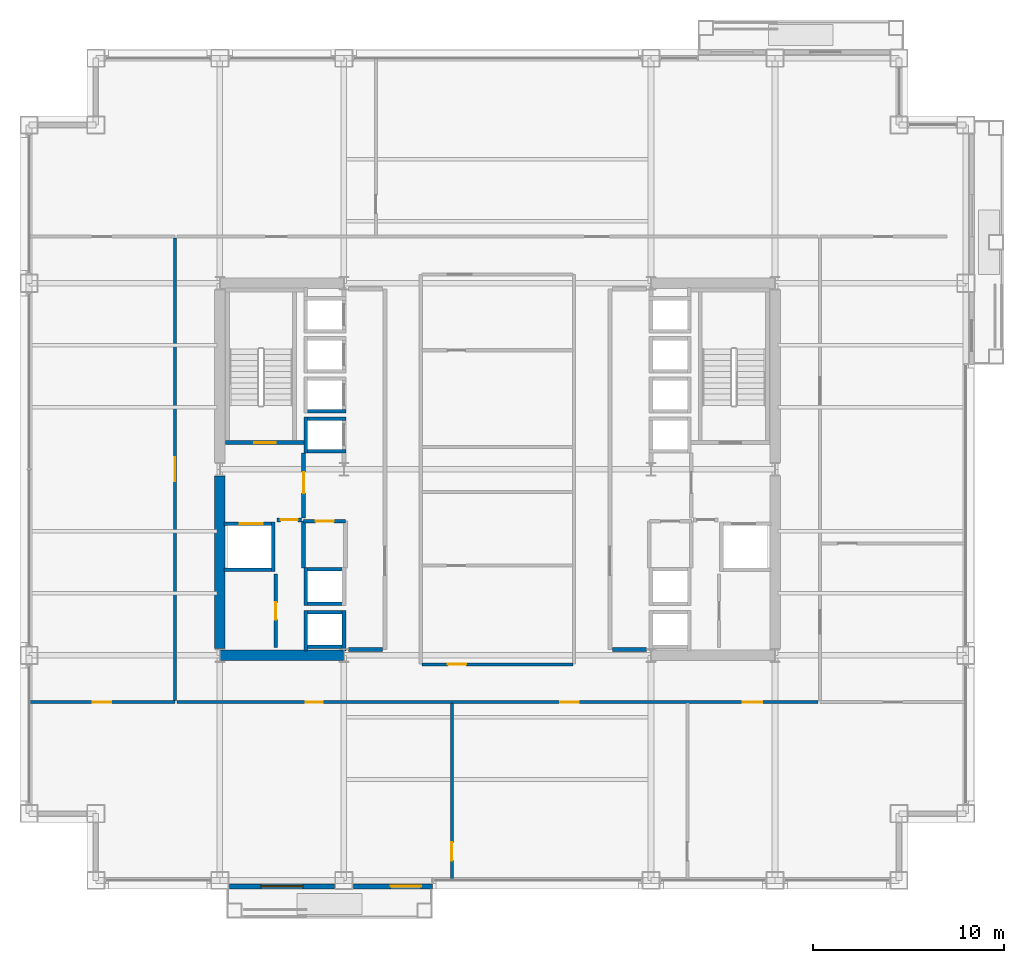
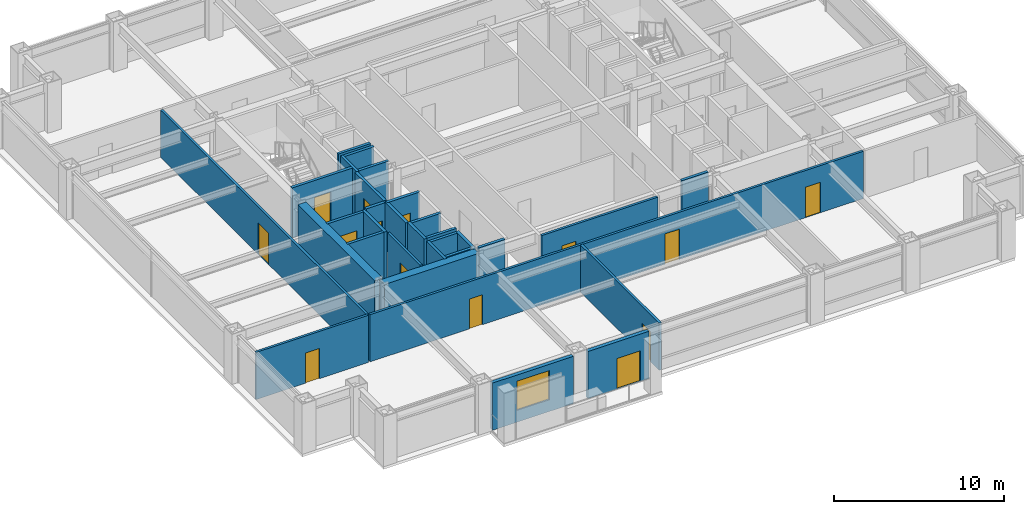
# One storey, part 25 of 31: 31 walls, 14 doors, 1 window, 15 openings.
"""IFC4 building model written with IfcOpenShell, lengths in metres."""

from ifc_helpers import new_model, si_unit, direction, frame, frame_2d, origin, place, context, subcontext, project, spatial, rectangle, extrude, material, layer, layer_set, type_object, element, fill, save


model = new_model("IFC4")

# Units and contexts
model_context = context("Model", 3, precision=1e-05, world=origin(), true_north=direction((0.0, 1.0)))
body_context = subcontext(model_context, "Body", "Model", "MODEL_VIEW")
ifc_project = project(units=[si_unit("LENGTHUNIT", "METRE"), si_unit("AREAUNIT", "SQUARE_METRE"), si_unit("VOLUMEUNIT", "CUBIC_METRE"), si_unit("PLANEANGLEUNIT", "RADIAN"), si_unit("MASSUNIT", "GRAM", prefix="KILO")], contexts=[model_context])

# Site, building, storey
site_placement = place(None, origin())
site = spatial("IfcSite", under=ifc_project, at=site_placement, CompositionType="ELEMENT")
building_placement = place(site_placement, origin())
building = spatial("IfcBuilding", under=site, at=building_placement, Name="Brelmoor Portico Tower", CompositionType="ELEMENT")
storey_placement = place(building_placement, frame((0.0, 0.0, 31.199951171875)))
storey = spatial("IfcBuildingStorey", under=building, at=storey_placement, Name="L07", CompositionType="ELEMENT", Elevation=31.199951171875)

# Walls
ifc_material_1 = material(Name="Concrete C60", Category="concrete")
ifc_layer_1 = layer(ifc_material_1, 0.550048828125)
ifc_layer_set_1 = layer_set([ifc_layer_1], Name="Concrete C60")
wall_type_1 = type_object("IfcWallType", Name="WL-CORE-550", PredefinedType="SHEAR", material=ifc_layer_set_1)
wall_1_placement = place(storey_placement, frame((-14.530029296875, -9.75, -0.199951171875), z_axis=(0.0, 0.0, 1.0), x_axis=(1.0, 0.0, 0.0)))
element("IfcWall", 1, at=wall_1_placement, inside=storey, type_object=wall_type_1, Name="L07 WC South Shear Wall", PredefinedType="SHEAR", context=body_context, shape_type="SweptSolid", body=[
    extrude(rectangle(XDim=6.4599609375, YDim=0.550048828125, at=frame_2d((3.22998046875, 0.0))), origin(), (0.0, 0.0, 1.0), 3.60009765625),
])
wall_2_placement = place(storey_placement, frame((-14.550048828125, -9.39990234375, -0.199951171875), z_axis=(0.0, 0.0, 1.0), x_axis=(0.0, 1.0, 0.0)))
element("IfcWall", 2, at=wall_2_placement, inside=storey, type_object=wall_type_1, Name="L07 WC Outer South Shear Wall", PredefinedType="SHEAR", context=body_context, shape_type="SweptSolid", body=[
    extrude(rectangle(XDim=9.0498046875, YDim=0.550048828125, at=frame_2d((4.52490234375, 0.0))), origin(), (0.0, 0.0, 1.0), 3.60009765625),
])

# Wall, opening, window
ifc_material_2 = material(Name="Precast Concrete C40 Insulated Facade Wall", Category="concrete")
ifc_layer_2 = layer(ifc_material_2, 0.25)
ifc_layer_set_2 = layer_set([ifc_layer_2], Name="Precast Concrete C40 Insulated Facade Wall")
wall_type_2 = type_object("IfcWallType", Name="WL-EXT-250", PredefinedType="STANDARD", material=ifc_layer_set_2)
wall_3_placement = place(storey_placement, frame((-14.054931640625, -21.860107421875, 0.0), z_axis=(0.0, 0.0, 1.0), x_axis=(1.0, 0.0, 0.0)))
wall_3 = element("IfcWall", 3, at=wall_3_placement, inside=storey, type_object=wall_type_2, Name="L07 Loggia Threshold Wall S-1", PredefinedType="STANDARD", context=body_context, shape_type="SweptSolid", body=[
    extrude(rectangle(XDim=5.510009765625, YDim=0.25, at=frame_2d((2.7548828125, 0.0))), origin(), (0.0, 0.0, 1.0), 3.400146484375),
])
opening_1_placement = place(wall_3_placement, frame((1.655029296875, 0.0, 0.85009765625)))
opening_1 = element("IfcOpeningElement", 4, at=opening_1_placement, cuts=wall_3, Name="Opening W-03B", PredefinedType="OPENING", context=body_context, shape_type="SweptSolid", body=[
    extrude(rectangle(XDim=2.199951171875, YDim=2.10009765625, at=frame_2d((1.10009765625, 1.050048828125))), frame((0.0, 0.135009765625, 0.0), z_axis=(0.0, -1.0, 0.0), x_axis=(1.0, 0.0, 0.0)), (0.0, 0.0, 1.0), 0.27001953125),
])
ifc_material_3 = material(Name="Thermally Broken Aluminium Low-E Window", Category="aluminium")
window_type = type_object("IfcWindowType", Name="WN-LOGGIA-2200x2100", PartitioningType="SINGLE_PANEL", PredefinedType="WINDOW", material=ifc_material_3)
window_placement = place(opening_1_placement, origin())
window = element("IfcWindow", 5, at=window_placement, inside=storey, type_object=window_type, Name="L07 Loggia Window S", OverallHeight=2.10009765625, OverallWidth=2.199951171875, PartitioningType="SINGLE_PANEL", PredefinedType="WINDOW", context=body_context, shape_type="SweptSolid", body=[
    extrude(rectangle(XDim=2.199951171875, YDim=2.10009765625, at=frame_2d((1.10009765625, 1.050048828125))), frame((0.0, 0.030029296875, 0.0), z_axis=(0.0, -1.0, 0.0), x_axis=(1.0, 0.0, 0.0)), (0.0, 0.0, 1.0), 0.06005859375),
])
fill(opening_1, window)

# Wall, opening, door
wall_4_placement = place(storey_placement, frame((-7.554931640625, -21.860107421875, 0.0), z_axis=(0.0, 0.0, 1.0), x_axis=(1.0, 0.0, 0.0)))
wall_4 = element("IfcWall", 6, at=wall_4_placement, inside=storey, type_object=wall_type_2, Name="L07 Loggia Threshold Wall S-2", PredefinedType="STANDARD", context=body_context, shape_type="SweptSolid", body=[
    extrude(rectangle(XDim=4.155029296875, YDim=0.25, at=frame_2d((2.07763671875, 0.0))), origin(), (0.0, 0.0, 1.0), 3.400146484375),
])
opening_2_placement = place(wall_4_placement, frame((1.955078125, 0.0, 0.0)))
opening_2 = element("IfcOpeningElement", 7, at=opening_2_placement, cuts=wall_4, Name="Opening D-TB1", PredefinedType="OPENING", context=body_context, shape_type="SweptSolid", body=[
    extrude(rectangle(XDim=1.60009765625, YDim=2.199951171875, at=frame_2d((0.800048828125, 1.10009765625))), frame((0.0, 0.135009765625, 0.0), z_axis=(0.0, -1.0, 0.0), x_axis=(1.0, 0.0, 0.0)), (0.0, 0.0, 1.0), 0.27001953125),
])
ifc_material_4 = material(Name="Double-Leaf Thermally Broken Terrace Door", Category="aluminium")
door_type_1 = type_object("IfcDoorType", Name="DR-BALCONY-1600", OperationType="NOTDEFINED", PredefinedType="DOOR", material=ifc_material_4)
door_1_placement = place(opening_2_placement, origin())
door_1 = element("IfcDoor", 8, at=door_1_placement, inside=storey, type_object=door_type_1, Name="D-0337 L07 Tree Balcony Double Door S", OperationType="DOUBLE_DOOR_SINGLE_SWING", OverallHeight=2.199951171875, OverallWidth=1.60009765625, PredefinedType="DOOR", context=body_context, shape_type="SweptSolid", body=[
    extrude(rectangle(XDim=1.60009765625, YDim=2.199951171875, at=frame_2d((0.800048828125, 1.10009765625))), frame((0.0, 0.02490234375, 0.0), z_axis=(0.0, -1.0, 0.0), x_axis=(1.0, 0.0, 0.0)), (0.0, 0.0, 1.0), 0.050048828125),
])
fill(opening_2, door_1)

ifc_material_5 = material(Name="Twin-Frame Acoustic Partition", Category="gypsum")
ifc_layer_3 = layer(ifc_material_5, 0.159912109375)
ifc_layer_set_3 = layer_set([ifc_layer_3], Name="Twin-Frame Acoustic Partition")
wall_type_3 = type_object("IfcWallType", Name="WL-PART-160", PredefinedType="PARTITIONING", material=ifc_layer_set_3)
wall_5_placement = place(storey_placement, frame((-11.6201171875, -9.35009765625, 0.0), z_axis=(0.0, 0.0, 1.0), x_axis=(0.0, 1.0, 0.0)))
wall_5 = element("IfcWall", 9, at=wall_5_placement, inside=storey, type_object=wall_type_3, Name="L07 W Core Service Front Wall", PredefinedType="PARTITIONING", context=body_context, shape_type="SweptSolid", body=[
    extrude(rectangle(XDim=3.85009765625, YDim=0.159912109375, at=frame_2d((1.925048828125, 0.0))), origin(), (0.0, 0.0, 1.0), 3.400146484375),
])
opening_3_placement = place(wall_5_placement, frame((1.47509765625, 0.0, 0.0)))
opening_3 = element("IfcOpeningElement", 10, at=opening_3_placement, cuts=wall_5, Name="Opening D-IN1", PredefinedType="OPENING", context=body_context, shape_type="SweptSolid", body=[
    extrude(rectangle(XDim=0.89990234375, YDim=2.14990234375, at=frame_2d((0.449951171875, 1.074951171875))), frame((0.0, 0.08984375, 0.0), z_axis=(0.0, -1.0, 0.0), x_axis=(1.0, 0.0, 0.0)), (0.0, 0.0, 1.0), 0.179931640625),
])
ifc_material_6 = material(Name="Lacquered Timber Suite Door", Category="wood")
door_type_2 = type_object("IfcDoorType", Name="DR-INT-900", OperationType="NOTDEFINED", PredefinedType="DOOR", material=ifc_material_6)
door_2_placement = place(opening_3_placement, origin())
door_2 = element("IfcDoor", 11, at=door_2_placement, inside=storey, type_object=door_type_2, Name="D-0314 L07 W Accessible WC Door", OperationType="SINGLE_SWING_LEFT", OverallHeight=2.14990234375, OverallWidth=0.89990234375, PredefinedType="DOOR", context=body_context, shape_type="SweptSolid", body=[
    extrude(rectangle(XDim=0.89990234375, YDim=2.14990234375, at=frame_2d((0.449951171875, 1.074951171875))), frame((0.0, 0.02490234375, 0.0), z_axis=(0.0, -1.0, 0.0), x_axis=(1.0, 0.0, 0.0)), (0.0, 0.0, 1.0), 0.050048828125),
])
fill(opening_3, door_2)

wall_6_placement = place(storey_placement, frame((-3.949951171875, -10.219970703125, 0.0), z_axis=(0.0, 0.0, 1.0), x_axis=(1.0, 0.0, 0.0)))
wall_6 = element("IfcWall", 12, at=wall_6_placement, inside=storey, type_object=wall_type_3, Name="L07 Central Pantry Corridor Wall", PredefinedType="PARTITIONING", context=body_context, shape_type="SweptSolid", body=[
    extrude(rectangle(XDim=7.89990234375, YDim=0.159912109375, at=frame_2d((3.949951171875, 0.0))), origin(), (0.0, 0.0, 1.0), 3.400146484375),
])
opening_4_placement = place(wall_6_placement, frame((1.35009765625, 0.0, 0.0)))
opening_4 = element("IfcOpeningElement", 13, at=opening_4_placement, cuts=wall_6, Name="Opening D-IN2", PredefinedType="OPENING", context=body_context, shape_type="SweptSolid", body=[
    extrude(rectangle(XDim=0.9599609375, YDim=2.179931640625, at=frame_2d((0.47998046875, 1.08984375))), frame((0.0, 0.08984375, 0.0), z_axis=(0.0, -1.0, 0.0), x_axis=(1.0, 0.0, 0.0)), (0.0, 0.0, 1.0), 0.179931640625),
])
door_type_3 = type_object("IfcDoorType", Name="DR-INT-950", OperationType="NOTDEFINED", PredefinedType="DOOR", material=ifc_material_6)
door_3_placement = place(opening_4_placement, origin())
door_3 = element("IfcDoor", 14, at=door_3_placement, inside=storey, type_object=door_type_3, Name="D-0309 L07 Staff Pantry Door", OperationType="SINGLE_SWING_LEFT", OverallHeight=2.179931640625, OverallWidth=0.9599609375, PredefinedType="DOOR", context=body_context, shape_type="SweptSolid", body=[
    extrude(rectangle(XDim=0.9599609375, YDim=2.179931640625, at=frame_2d((0.47998046875, 1.08984375))), frame((0.0, 0.02490234375, 0.0), z_axis=(0.0, -1.0, 0.0), x_axis=(1.0, 0.0, 0.0)), (0.0, 0.0, 1.0), 0.050048828125),
])
fill(opening_4, door_3)

wall_7_placement = place(storey_placement, frame((-2.38916015625, -21.56005859375, 0.0), z_axis=(0.0, 0.0, 1.0), x_axis=(0.0, 1.0, 0.0)))
wall_7 = element("IfcWall", 15, at=wall_7_placement, inside=storey, type_object=wall_type_3, Name="L07 South Suite Partition 1", PredefinedType="PARTITIONING", context=body_context, shape_type="SweptSolid", body=[
    extrude(rectangle(XDim=9.300048828125, YDim=0.159912109375, at=frame_2d((4.64990234375, 0.0))), origin(), (0.0, 0.0, 1.0), 3.400146484375),
])
opening_5_placement = place(wall_7_placement, frame((1.050048828125, 0.0, 0.0)))
opening_5 = element("IfcOpeningElement", 16, at=opening_5_placement, cuts=wall_7, Name="Opening D-IN2", PredefinedType="OPENING", context=body_context, shape_type="SweptSolid", body=[
    extrude(rectangle(XDim=0.9599609375, YDim=2.179931640625, at=frame_2d((0.47998046875, 1.08984375))), frame((0.0, 0.08984375, 0.0), z_axis=(0.0, -1.0, 0.0), x_axis=(1.0, 0.0, 0.0)), (0.0, 0.0, 1.0), 0.179931640625),
])
door_4_placement = place(opening_5_placement, origin())
door_4 = element("IfcDoor", 17, at=door_4_placement, inside=storey, type_object=door_type_3, Name="D-0329 L07 South Suite Connecting Door 1", OperationType="SINGLE_SWING_LEFT", OverallHeight=2.179931640625, OverallWidth=0.9599609375, PredefinedType="DOOR", context=body_context, shape_type="SweptSolid", body=[
    extrude(rectangle(XDim=0.9599609375, YDim=2.179931640625, at=frame_2d((0.47998046875, 1.08984375))), frame((0.0, 0.02490234375, 0.0), z_axis=(0.0, -1.0, 0.0), x_axis=(1.0, 0.0, 0.0)), (0.0, 0.0, 1.0), 0.050048828125),
])
fill(opening_5, door_4)

# Wall, openings, doors
wall_8_placement = place(storey_placement, frame((-16.800048828125, -12.199951171875, 0.0), z_axis=(0.0, 0.0, 1.0), x_axis=(1.0, 0.0, 0.0)))
wall_8 = element("IfcWall", 18, at=wall_8_placement, inside=storey, type_object=wall_type_3, Name="L07 South Corridor Partition", PredefinedType="PARTITIONING", context=body_context, shape_type="SweptSolid", body=[
    extrude(rectangle(XDim=33.60009765625, YDim=0.159912109375, at=frame_2d((16.800048828125, 0.0))), origin(), (0.0, 0.0, 1.0), 3.400146484375),
])
opening_6_placement = place(wall_8_placement, frame((6.75537109375, 0.0, 0.0)))
opening_6 = element("IfcOpeningElement", 19, at=opening_6_placement, cuts=wall_8, Name="Opening D-IN1", PredefinedType="OPENING", context=body_context, shape_type="SweptSolid", body=[
    extrude(rectangle(XDim=0.89990234375, YDim=2.14990234375, at=frame_2d((0.449951171875, 1.074951171875))), frame((0.0, 0.08984375, 0.0), z_axis=(0.0, -1.0, 0.0), x_axis=(1.0, 0.0, 0.0)), (0.0, 0.0, 1.0), 0.179931640625),
])
opening_7_placement = place(wall_8_placement, frame((20.102783203125, 0.0, 0.0)))
opening_7 = element("IfcOpeningElement", 20, at=opening_7_placement, cuts=wall_8, Name="Opening D-IN2", PredefinedType="OPENING", context=body_context, shape_type="SweptSolid", body=[
    extrude(rectangle(XDim=0.9599609375, YDim=2.179931640625, at=frame_2d((0.47998046875, 1.08984375))), frame((0.0, 0.08984375, 0.0), z_axis=(0.0, -1.0, 0.0), x_axis=(1.0, 0.0, 0.0)), (0.0, 0.0, 1.0), 0.179931640625),
])
opening_8_placement = place(wall_8_placement, frame((29.66748046875, 0.0, 0.0)))
opening_8 = element("IfcOpeningElement", 21, at=opening_8_placement, cuts=wall_8, Name="Opening D-OF1", PredefinedType="OPENING", context=body_context, shape_type="SweptSolid", body=[
    extrude(rectangle(XDim=1.02001953125, YDim=2.199951171875, at=frame_2d((0.510009765625, 1.10009765625))), frame((0.0, 0.08984375, 0.0), z_axis=(0.0, -1.0, 0.0), x_axis=(1.0, 0.0, 0.0)), (0.0, 0.0, 1.0), 0.179931640625),
])
door_5_placement = place(opening_6_placement, origin())
door_5 = element("IfcDoor", 22, at=door_5_placement, inside=storey, type_object=door_type_2, Name="D-0326 L07 South Client Reception Room 1 Door", OperationType="SINGLE_SWING_LEFT", OverallHeight=2.14990234375, OverallWidth=0.89990234375, PredefinedType="DOOR", context=body_context, shape_type="SweptSolid", body=[
    extrude(rectangle(XDim=0.89990234375, YDim=2.14990234375, at=frame_2d((0.449951171875, 1.074951171875))), frame((0.0, 0.02490234375, 0.0), z_axis=(0.0, -1.0, 0.0), x_axis=(1.0, 0.0, 0.0)), (0.0, 0.0, 1.0), 0.050048828125),
])
fill(opening_6, door_5)
door_6_placement = place(opening_7_placement, origin())
door_6 = element("IfcDoor", 23, at=door_6_placement, inside=storey, type_object=door_type_3, Name="D-0327 L07 South Technical Archive Store 2 Door", OperationType="SINGLE_SWING_RIGHT", OverallHeight=2.179931640625, OverallWidth=0.9599609375, PredefinedType="DOOR", context=body_context, shape_type="SweptSolid", body=[
    extrude(rectangle(XDim=0.9599609375, YDim=2.179931640625, at=frame_2d((0.47998046875, 1.08984375))), frame((0.0, 0.02490234375, 0.0), z_axis=(0.0, -1.0, 0.0), x_axis=(1.0, 0.0, 0.0)), (0.0, 0.0, 1.0), 0.050048828125),
])
fill(opening_7, door_6)
ifc_material_7 = material(Name="Hardwood Acoustic Veneer Door", Category="wood")
door_type_4 = type_object("IfcDoorType", Name="DR-OFFICE-1000", OperationType="NOTDEFINED", PredefinedType="DOOR", material=ifc_material_7)
door_7_placement = place(opening_8_placement, origin())
door_7 = element("IfcDoor", 24, at=door_7_placement, inside=storey, type_object=door_type_4, Name="D-0328 L07 South Open-Plan Office Studio 3 Door", OperationType="SINGLE_SWING_LEFT", OverallHeight=2.199951171875, OverallWidth=1.02001953125, PredefinedType="DOOR", context=body_context, shape_type="SweptSolid", body=[
    extrude(rectangle(XDim=1.02001953125, YDim=2.199951171875, at=frame_2d((0.510009765625, 1.10009765625))), frame((0.0, 0.02490234375, 0.0), z_axis=(0.0, -1.0, 0.0), x_axis=(1.0, 0.0, 0.0)), (0.0, 0.0, 1.0), 0.050048828125),
])
fill(opening_8, door_7)

# Wall, opening, door
wall_9_placement = place(storey_placement, frame((-24.56005859375, -12.199951171875, 0.0), z_axis=(0.0, 0.0, 1.0), x_axis=(1.0, 0.0, 0.0)))
wall_9 = element("IfcWall", 25, at=wall_9_placement, inside=storey, type_object=wall_type_3, Name="L07 South Outer Closure WL", PredefinedType="PARTITIONING", context=body_context, shape_type="SweptSolid", body=[
    extrude(rectangle(XDim=7.66015625, YDim=0.159912109375, at=frame_2d((3.830078125, 0.0))), origin(), (0.0, 0.0, 1.0), 3.400146484375),
])
opening_9_placement = place(wall_9_placement, frame((3.35009765625, 0.0, 0.0)))
opening_9 = element("IfcOpeningElement", 26, at=opening_9_placement, cuts=wall_9, Name="Opening D-IN2", PredefinedType="OPENING", context=body_context, shape_type="SweptSolid", body=[
    extrude(rectangle(XDim=0.9599609375, YDim=2.179931640625, at=frame_2d((0.47998046875, 1.08984375))), frame((0.0, 0.08984375, 0.0), z_axis=(0.0, -1.0, 0.0), x_axis=(1.0, 0.0, 0.0)), (0.0, 0.0, 1.0), 0.179931640625),
])
door_8_placement = place(opening_9_placement, origin())
door_8 = element("IfcDoor", 27, at=door_8_placement, inside=storey, type_object=door_type_3, Name="D-0334 L07 WL South Corner Suite Door", OperationType="SINGLE_SWING_RIGHT", OverallHeight=2.179931640625, OverallWidth=0.9599609375, PredefinedType="DOOR", context=body_context, shape_type="SweptSolid", body=[
    extrude(rectangle(XDim=0.9599609375, YDim=2.179931640625, at=frame_2d((0.47998046875, 1.08984375))), frame((0.0, 0.02490234375, 0.0), z_axis=(0.0, -1.0, 0.0), x_axis=(1.0, 0.0, 0.0)), (0.0, 0.0, 1.0), 0.050048828125),
])
fill(opening_9, door_8)

wall_10_placement = place(storey_placement, frame((-16.89990234375, -12.1201171875, 0.0), z_axis=(0.0, 0.0, 1.0), x_axis=(0.0, 1.0, 0.0)))
wall_10 = element("IfcWall", 28, at=wall_10_placement, inside=storey, type_object=wall_type_3, Name="L07 W Wing Corridor Wall", PredefinedType="PARTITIONING", context=body_context, shape_type="SweptSolid", body=[
    extrude(rectangle(XDim=24.240234375, YDim=0.159912109375, at=frame_2d((12.1201171875, 0.0))), origin(), (0.0, 0.0, 1.0), 3.400146484375),
])
opening_10_placement = place(wall_10_placement, frame((11.5, 0.0, 0.0)))
opening_10 = element("IfcOpeningElement", 29, at=opening_10_placement, cuts=wall_10, Name="Opening D-SU1", PredefinedType="OPENING", context=body_context, shape_type="SweptSolid", body=[
    extrude(rectangle(XDim=1.239990234375, YDim=2.239990234375, at=frame_2d((0.6201171875, 1.1201171875))), frame((0.0, 0.08984375, 0.0), z_axis=(0.0, -1.0, 0.0), x_axis=(1.0, 0.0, 0.0)), (0.0, 0.0, 1.0), 0.179931640625),
])
ifc_material_8 = material(Name="Glazed Timber Executive Suite Door", Category="wood")
door_type_5 = type_object("IfcDoorType", Name="DR-SUITE-1200", OperationType="NOTDEFINED", PredefinedType="DOOR", material=ifc_material_8)
door_9_placement = place(opening_10_placement, origin())
door_9 = element("IfcDoor", 30, at=door_9_placement, inside=storey, type_object=door_type_5, Name="D-0341 L07 W Partner Cellular Office 1 Door", OperationType="SINGLE_SWING_RIGHT", OverallHeight=2.239990234375, OverallWidth=1.239990234375, PredefinedType="DOOR", context=body_context, shape_type="SweptSolid", body=[
    extrude(rectangle(XDim=1.239990234375, YDim=2.239990234375, at=frame_2d((0.6201171875, 1.1201171875))), frame((0.0, 0.02490234375, 0.0), z_axis=(0.0, -1.0, 0.0), x_axis=(1.0, 0.0, 0.0)), (0.0, 0.0, 1.0), 0.050048828125),
])
fill(opening_10, door_9)

# Wall
ifc_material_9 = material(Name="Double-Stud Gypsum Fire Partition", Category="gypsum")
ifc_layer_4 = layer(ifc_material_9, 0.199951171875)
ifc_layer_set_4 = layer_set([ifc_layer_4], Name="Double-Stud Gypsum Fire Partition")
wall_type_4 = type_object("IfcWallType", Name="WL-PART-200", PredefinedType="PARTITIONING", material=ifc_layer_set_4)
wall_11_placement = place(storey_placement, frame((-6.02001953125, -9.449951171875, 0.0), z_axis=(0.0, 0.0, 1.0), x_axis=(-1.0, 0.0, 0.0)))
element("IfcWall", 31, at=wall_11_placement, inside=storey, type_object=wall_type_4, Name="L07 W Lift Lobby South End Wall", PredefinedType="PARTITIONING", context=body_context, shape_type="SweptSolid", body=[
    extrude(rectangle(XDim=1.800048828125, YDim=0.199951171875, at=frame_2d((0.89990234375, 0.0))), origin(), (0.0, 0.0, 1.0), 3.400146484375),
])

# Wall, opening, door
wall_12_placement = place(storey_placement, frame((-10.159912109375, -2.550048828125, 0.0), z_axis=(0.0, 0.0, 1.0), x_axis=(0.0, 1.0, 0.0)))
wall_12 = element("IfcWall", 32, at=wall_12_placement, inside=storey, type_object=wall_type_4, Name="L07 W Firefighting Lobby Wall", PredefinedType="PARTITIONING", context=body_context, shape_type="SweptSolid", body=[
    extrude(rectangle(XDim=3.400146484375, YDim=0.199951171875, at=frame_2d((1.7001953125, 0.0))), origin(), (0.0, 0.0, 1.0), 3.400146484375),
])
opening_11_placement = place(wall_12_placement, frame((1.300048828125, 0.0, 0.0)))
opening_11 = element("IfcOpeningElement", 33, at=opening_11_placement, cuts=wall_12, Name="Opening D-FR1", PredefinedType="OPENING", context=body_context, shape_type="SweptSolid", body=[
    extrude(rectangle(XDim=1.10009765625, YDim=2.14990234375, at=frame_2d((0.550048828125, 1.074951171875))), frame((0.0, 0.10986328125, 0.0), z_axis=(0.0, -1.0, 0.0), x_axis=(1.0, 0.0, 0.0)), (0.0, 0.0, 1.0), 0.219970703125),
])
ifc_material_10 = material(Name="Painted Galvanised Steel Fire Door", Category="steel")
door_type_6 = type_object("IfcDoorType", Name="DR-FIRE-1100", OperationType="NOTDEFINED", PredefinedType="DOOR", material=ifc_material_10)
door_10_placement = place(opening_11_placement, origin())
door_10 = element("IfcDoor", 34, at=door_10_placement, inside=storey, type_object=door_type_6, Name="D-0318 L07 W Firefighting Lobby Door", OperationType="SINGLE_SWING_RIGHT", OverallHeight=2.14990234375, OverallWidth=1.10009765625, PredefinedType="DOOR", context=body_context, shape_type="SweptSolid", body=[
    extrude(rectangle(XDim=1.10009765625, YDim=2.14990234375, at=frame_2d((0.550048828125, 1.074951171875))), frame((0.0, 0.02490234375, 0.0), z_axis=(0.0, -1.0, 0.0), x_axis=(1.0, 0.0, 0.0)), (0.0, 0.0, 1.0), 0.050048828125),
])
fill(opening_11, door_10)

wall_13_placement = place(storey_placement, frame((-10.280029296875, -2.64990234375, 0.0), z_axis=(0.0, 0.0, 1.0), x_axis=(-1.0, 0.0, 0.0)))
wall_13 = element("IfcWall", 35, at=wall_13_placement, inside=storey, type_object=wall_type_4, Name="L07 W Firefighting Lobby South Wall", PredefinedType="PARTITIONING", context=body_context, shape_type="SweptSolid", body=[
    extrude(rectangle(XDim=1.27001953125, YDim=0.199951171875, at=frame_2d((0.635009765625, 0.0))), origin(), (0.0, 0.0, 1.0), 3.400146484375),
])
opening_12_placement = place(wall_13_placement, frame((0.18505859375, 0.0, 0.0)))
opening_12 = element("IfcOpeningElement", 36, at=opening_12_placement, cuts=wall_13, Name="Opening D-IN1", PredefinedType="OPENING", context=body_context, shape_type="SweptSolid", body=[
    extrude(rectangle(XDim=0.89990234375, YDim=2.14990234375, at=frame_2d((0.449951171875, 1.074951171875))), frame((0.0, 0.10986328125, 0.0), z_axis=(0.0, -1.0, 0.0), x_axis=(1.0, 0.0, 0.0)), (0.0, 0.0, 1.0), 0.219970703125),
])
door_11_placement = place(opening_12_placement, origin())
door_11 = element("IfcDoor", 37, at=door_11_placement, inside=storey, type_object=door_type_2, Name="D-0313 L07 W Core Service Vestibule Door", OperationType="SINGLE_SWING_LEFT", OverallHeight=2.14990234375, OverallWidth=0.89990234375, PredefinedType="DOOR", context=body_context, shape_type="SweptSolid", body=[
    extrude(rectangle(XDim=0.89990234375, YDim=2.14990234375, at=frame_2d((0.449951171875, 1.074951171875))), frame((0.0, 0.02490234375, 0.0), z_axis=(0.0, -1.0, 0.0), x_axis=(1.0, 0.0, 0.0)), (0.0, 0.0, 1.0), 0.050048828125),
])
fill(opening_12, door_11)

wall_14_placement = place(storey_placement, frame((-7.9599609375, -2.719970703125, 0.0), z_axis=(0.0, 0.0, 1.0), x_axis=(-1.0, 0.0, 0.0)))
wall_14 = element("IfcWall", 38, at=wall_14_placement, inside=storey, type_object=wall_type_4, Name="L07 W Electrical Switchgear Closet Wall", PredefinedType="PARTITIONING", context=body_context, shape_type="SweptSolid", body=[
    extrude(rectangle(XDim=2.199951171875, YDim=0.199951171875, at=frame_2d((1.10009765625, 0.0))), origin(), (0.0, 0.0, 1.0), 3.400146484375),
])
opening_13_placement = place(wall_14_placement, frame((0.6201171875, 0.0, 0.0)))
opening_13 = element("IfcOpeningElement", 39, at=opening_13_placement, cuts=wall_14, Name="Opening D-FR4", PredefinedType="OPENING", context=body_context, shape_type="SweptSolid", body=[
    extrude(rectangle(XDim=0.949951171875, YDim=2.10009765625, at=frame_2d((0.47509765625, 1.050048828125))), frame((0.0, 0.10986328125, 0.0), z_axis=(0.0, -1.0, 0.0), x_axis=(1.0, 0.0, 0.0)), (0.0, 0.0, 1.0), 0.219970703125),
])
ifc_material_11 = material(Name="Painted Galvanised Steel Riser Door", Category="steel")
door_type_7 = type_object("IfcDoorType", Name="DR-FIRE-950", OperationType="NOTDEFINED", PredefinedType="DOOR", material=ifc_material_11)
door_12_placement = place(opening_13_placement, origin())
door_12 = element("IfcDoor", 40, at=door_12_placement, inside=storey, type_object=door_type_7, Name="D-0316 L07 W Electrical Switchgear Closet Door", OperationType="SINGLE_SWING_RIGHT", OverallHeight=2.10009765625, OverallWidth=0.949951171875, PredefinedType="DOOR", context=body_context, shape_type="SweptSolid", body=[
    extrude(rectangle(XDim=0.949951171875, YDim=2.10009765625, at=frame_2d((0.47509765625, 1.050048828125))), frame((0.0, 0.02490234375, 0.0), z_axis=(0.0, -1.0, 0.0), x_axis=(1.0, 0.0, 0.0)), (0.0, 0.0, 1.0), 0.050048828125),
])
fill(opening_13, door_12)

# Walls
wall_15_placement = place(storey_placement, frame((-10.159912109375, -5.159912109375, 0.0), z_axis=(0.0, 0.0, 1.0), x_axis=(0.0, 1.0, 0.0)))
element("IfcWall", 41, at=wall_15_placement, inside=storey, type_object=wall_type_4, Name="L07 W Electrical Switchgear Closet Outer Wall", PredefinedType="PARTITIONING", context=body_context, shape_type="SweptSolid", body=[
    extrude(rectangle(XDim=2.43994140625, YDim=0.199951171875, at=frame_2d((1.219970703125, 0.0))), origin(), (0.0, 0.0, 1.0), 3.400146484375),
])
wall_16_placement = place(storey_placement, frame((6.02001953125, -9.449951171875, 0.0), z_axis=(0.0, 0.0, 1.0), x_axis=(1.0, 0.0, 0.0)))
element("IfcWall", 42, at=wall_16_placement, inside=storey, type_object=wall_type_4, Name="L07 E Lift Lobby South End Wall", PredefinedType="PARTITIONING", context=body_context, shape_type="SweptSolid", body=[
    extrude(rectangle(XDim=1.800048828125, YDim=0.199951171875, at=frame_2d((0.89990234375, 0.0))), origin(), (0.0, 0.0, 1.0), 3.400146484375),
])
ifc_material_12 = material(Name="Precast Concrete C40", Category="concrete")
ifc_layer_5 = layer(ifc_material_12, 0.18994140625)
ifc_layer_set_5 = layer_set([ifc_layer_5], Name="Precast Concrete C40")
wall_type_5 = type_object("IfcWallType", Name="WL-SHAFT-180", PredefinedType="SOLIDWALL", material=ifc_layer_set_5)
wall_17_placement = place(storey_placement, frame((-10.054931640625, 0.85009765625, -0.199951171875), z_axis=(0.0, 0.0, 1.0), x_axis=(0.0, 1.0, 0.0)))
element("IfcWall", 43, at=wall_17_placement, inside=storey, type_object=wall_type_5, Name="L07 Lift PL1 Hoistway Back Wall", PredefinedType="SOLIDWALL", context=body_context, shape_type="SweptSolid", body=[
    extrude(rectangle(XDim=1.89990234375, YDim=0.18994140625, at=frame_2d((0.949951171875, 0.0))), origin(), (0.0, 0.0, 1.0), 3.60009765625),
])
for number, where, z_axis, x_axis, name in (
    (44, (-10.14990234375, 2.655029296875, -0.199951171875), (0.0, 0.0, 1.0), (1.0, 0.0, 0.0), "L07 Lift PL1 Hoistway North Wall"),
    (45, (-10.14990234375, 0.945068359375, -0.199951171875), (0.0, 0.0, 1.0), (1.0, 0.0, 0.0), "L07 Lift PL1 Hoistway South Wall"),
    (46, (-10.14990234375, 3.044921875, -0.199951171875), (0.0, 0.0, 1.0), (1.0, 0.0, 0.0), "L07 Lift PL2 Hoistway South Wall"),
):
    element("IfcWall", number, at=place(storey_placement, frame(where, z_axis=z_axis, x_axis=x_axis)), inside=storey, type_object=wall_type_5, Name=name, PredefinedType="SOLIDWALL", context=body_context, shape_type="SweptSolid", body=[
        extrude(rectangle(XDim=2.199951171875, YDim=0.18994140625, at=frame_2d((1.10009765625, 0.0))), origin(), (0.0, 0.0, 1.0), 3.60009765625),
    ])
for number, where, z_axis, x_axis, name in (
    (47, (-8.044921875, -9.52001953125, -0.199951171875), (0.0, 0.0, 1.0), (0.0, 1.0, 0.0), "L07 Lift PH1 Hoistway Front Wall"),
    (48, (-10.054931640625, -9.52001953125, -0.199951171875), (0.0, 0.0, 1.0), (0.0, 1.0, 0.0), "L07 Lift PH1 Hoistway Back Wall"),
):
    element("IfcWall", number, at=place(storey_placement, frame(where, z_axis=z_axis, x_axis=x_axis)), inside=storey, type_object=wall_type_5, Name=name, PredefinedType="SOLIDWALL", context=body_context, shape_type="SweptSolid", body=[
        extrude(rectangle(XDim=2.1201171875, YDim=0.18994140625, at=frame_2d((1.06005859375, 0.0))), origin(), (0.0, 0.0, 1.0), 3.60009765625),
    ])
for number, where, z_axis, x_axis, name in (
    (49, (-10.14990234375, -7.4951171875, -0.199951171875), (0.0, 0.0, 1.0), (1.0, 0.0, 0.0), "L07 Lift PH1 Hoistway North Wall"),
    (50, (-10.14990234375, -9.304931640625, -0.199951171875), (0.0, 0.0, 1.0), (1.0, 0.0, 0.0), "L07 Lift PH1 Hoistway South Wall"),
):
    element("IfcWall", number, at=place(storey_placement, frame(where, z_axis=z_axis, x_axis=x_axis)), inside=storey, type_object=wall_type_5, Name=name, PredefinedType="SOLIDWALL", context=body_context, shape_type="SweptSolid", body=[
        extrude(rectangle(XDim=2.199951171875, YDim=0.18994140625, at=frame_2d((1.10009765625, 0.0))), origin(), (0.0, 0.0, 1.0), 3.60009765625),
    ])
wall_18_placement = place(storey_placement, frame((-10.054931640625, -7.14990234375, -0.199951171875), z_axis=(0.0, 0.0, 1.0), x_axis=(0.0, 1.0, 0.0)))
element("IfcWall", 51, at=wall_18_placement, inside=storey, type_object=wall_type_5, Name="L07 Lift PH2 Hoistway Back Wall", PredefinedType="SOLIDWALL", context=body_context, shape_type="SweptSolid", body=[
    extrude(rectangle(XDim=2.0, YDim=0.18994140625, at=frame_2d((1.0, 0.0))), origin(), (0.0, 0.0, 1.0), 3.60009765625),
])
for number, where, z_axis, x_axis, name in (
    (52, (-10.14990234375, -5.2451171875, -0.199951171875), (0.0, 0.0, 1.0), (1.0, 0.0, 0.0), "L07 Lift PH2 Hoistway North Wall"),
    (53, (-10.14990234375, -7.054931640625, -0.199951171875), (0.0, 0.0, 1.0), (1.0, 0.0, 0.0), "L07 Lift PH2 Hoistway South Wall"),
):
    element("IfcWall", number, at=place(storey_placement, frame(where, z_axis=z_axis, x_axis=x_axis)), inside=storey, type_object=wall_type_5, Name=name, PredefinedType="SOLIDWALL", context=body_context, shape_type="SweptSolid", body=[
        extrude(rectangle(XDim=2.199951171875, YDim=0.18994140625, at=frame_2d((1.10009765625, 0.0))), origin(), (0.0, 0.0, 1.0), 3.60009765625),
    ])

# Wall, opening, door
wall_19_placement = place(storey_placement, frame((-14.330078125, -2.844970703125, -0.199951171875), z_axis=(0.0, 0.0, 1.0), x_axis=(1.0, 0.0, 0.0)))
wall_19 = element("IfcWall", 54, at=wall_19_placement, inside=storey, type_object=wall_type_5, Name="L07 Lift FF1 Hoistway Front Wall", PredefinedType="SOLIDWALL", context=body_context, shape_type="SweptSolid", body=[
    extrude(rectangle(XDim=2.68017578125, YDim=0.18994140625, at=frame_2d((1.340087890625, 0.0))), origin(), (0.0, 0.0, 1.0), 3.60009765625),
])
opening_14_placement = place(wall_19_placement, frame((0.830078125, 0.0, 0.199951171875)))
opening_14 = element("IfcOpeningElement", 55, at=opening_14_placement, cuts=wall_19, Name="Opening LD-02", PredefinedType="OPENING", context=body_context, shape_type="SweptSolid", body=[
    extrude(rectangle(XDim=1.199951171875, YDim=2.199951171875, at=frame_2d((0.60009765625, 1.10009765625))), frame((0.0, 0.10498046875, 0.0), z_axis=(0.0, -1.0, 0.0), x_axis=(1.0, 0.0, 0.0)), (0.0, 0.0, 1.0), 0.2099609375),
])
ifc_material_13 = material(Name="Brushed Stainless Steel Firefighting Lift Door", Category="steel")
door_type_8 = type_object("IfcDoorType", Name="DR-LIFT-1200", OperationType="NOTDEFINED", PredefinedType="DOOR", material=ifc_material_13)
door_13_placement = place(opening_14_placement, origin())
door_13 = element("IfcDoor", 56, at=door_13_placement, inside=storey, type_object=door_type_8, Name="D-0342 L07 Lift FF1 Sliding Landing Door", OperationType="SLIDING_TO_LEFT", OverallHeight=2.199951171875, OverallWidth=1.199951171875, PredefinedType="DOOR", context=body_context, shape_type="SweptSolid", body=[
    extrude(rectangle(XDim=1.199951171875, YDim=2.199951171875, at=frame_2d((0.60009765625, 1.10009765625))), frame((0.0, 0.02490234375, 0.0), z_axis=(0.0, -1.0, 0.0), x_axis=(1.0, 0.0, 0.0)), (0.0, 0.0, 1.0), 0.050048828125),
])
fill(opening_14, door_13)

# Walls
wall_20_placement = place(storey_placement, frame((-14.330078125, -5.2548828125, -0.199951171875), z_axis=(0.0, 0.0, 1.0), x_axis=(1.0, 0.0, 0.0)))
element("IfcWall", 57, at=wall_20_placement, inside=storey, type_object=wall_type_5, Name="L07 Firefighting Lift FF1 South Wall", PredefinedType="SOLIDWALL", context=body_context, shape_type="SweptSolid", body=[
    extrude(rectangle(XDim=2.68017578125, YDim=0.18994140625, at=frame_2d((1.340087890625, 0.0))), origin(), (0.0, 0.0, 1.0), 3.60009765625),
])
wall_21_placement = place(storey_placement, frame((-11.7451171875, -5.35009765625, -0.199951171875), z_axis=(0.0, 0.0, 1.0), x_axis=(0.0, 1.0, 0.0)))
element("IfcWall", 58, at=wall_21_placement, inside=storey, type_object=wall_type_5, Name="L07 Firefighting Lift FF1 Inner Wall", PredefinedType="SOLIDWALL", context=body_context, shape_type="SweptSolid", body=[
    extrude(rectangle(XDim=2.60009765625, YDim=0.18994140625, at=frame_2d((1.300048828125, 0.0))), origin(), (0.0, 0.0, 1.0), 3.60009765625),
])

# Wall, opening, door
ifc_material_14 = material(Name="Concrete C40", Category="concrete")
ifc_layer_6 = layer(ifc_material_14, 0.199951171875)
ifc_layer_set_6 = layer_set([ifc_layer_6], Name="Concrete C40")
wall_type_6 = type_object("IfcWallType", Name="WL-SHAFT-RC200", PredefinedType="SOLIDWALL", material=ifc_layer_set_6)
wall_22_placement = place(storey_placement, frame((-14.25, 1.39990234375, -0.199951171875), z_axis=(0.0, 0.0, 1.0), x_axis=(1.0, 0.0, 0.0)))
wall_22 = element("IfcWall", 59, at=wall_22_placement, inside=storey, type_object=wall_type_6, Name="L07 ST-W Structural Stair Wall S", PredefinedType="SOLIDWALL", context=body_context, shape_type="SweptSolid", body=[
    extrude(rectangle(XDim=4.10009765625, YDim=0.199951171875, at=frame_2d((2.050048828125, 0.0))), origin(), (0.0, 0.0, 1.0), 3.60009765625),
])
opening_15_placement = place(wall_22_placement, frame((1.5, 0.0, 0.199951171875)))
opening_15 = element("IfcOpeningElement", 60, at=opening_15_placement, cuts=wall_22, Name="Opening D-ST1", PredefinedType="OPENING", context=body_context, shape_type="SweptSolid", body=[
    extrude(rectangle(XDim=1.1201171875, YDim=2.179931640625, at=frame_2d((0.56005859375, 1.08984375))), frame((0.0, 0.10986328125, 0.0), z_axis=(0.0, -1.0, 0.0), x_axis=(1.0, 0.0, 0.0)), (0.0, 0.0, 1.0), 0.219970703125),
])
door_type_9 = type_object("IfcDoorType", Name="DR-STAIR-1100", OperationType="NOTDEFINED", PredefinedType="DOOR", material=ifc_material_10)
door_14_placement = place(opening_15_placement, origin())
door_14 = element("IfcDoor", 61, at=door_14_placement, inside=storey, type_object=door_type_9, Name="D-0332 L07 ST-W Protected Exit Stair Door", OperationType="SINGLE_SWING_LEFT", OverallHeight=2.179931640625, OverallWidth=1.1201171875, PredefinedType="DOOR", context=body_context, shape_type="SweptSolid", body=[
    extrude(rectangle(XDim=1.1201171875, YDim=2.179931640625, at=frame_2d((0.56005859375, 1.08984375))), frame((0.0, 0.02490234375, 0.0), z_axis=(0.0, -1.0, 0.0), x_axis=(1.0, 0.0, 0.0)), (0.0, 0.0, 1.0), 0.050048828125),
])
fill(opening_15, door_14)

save(model, "model.ifc")
